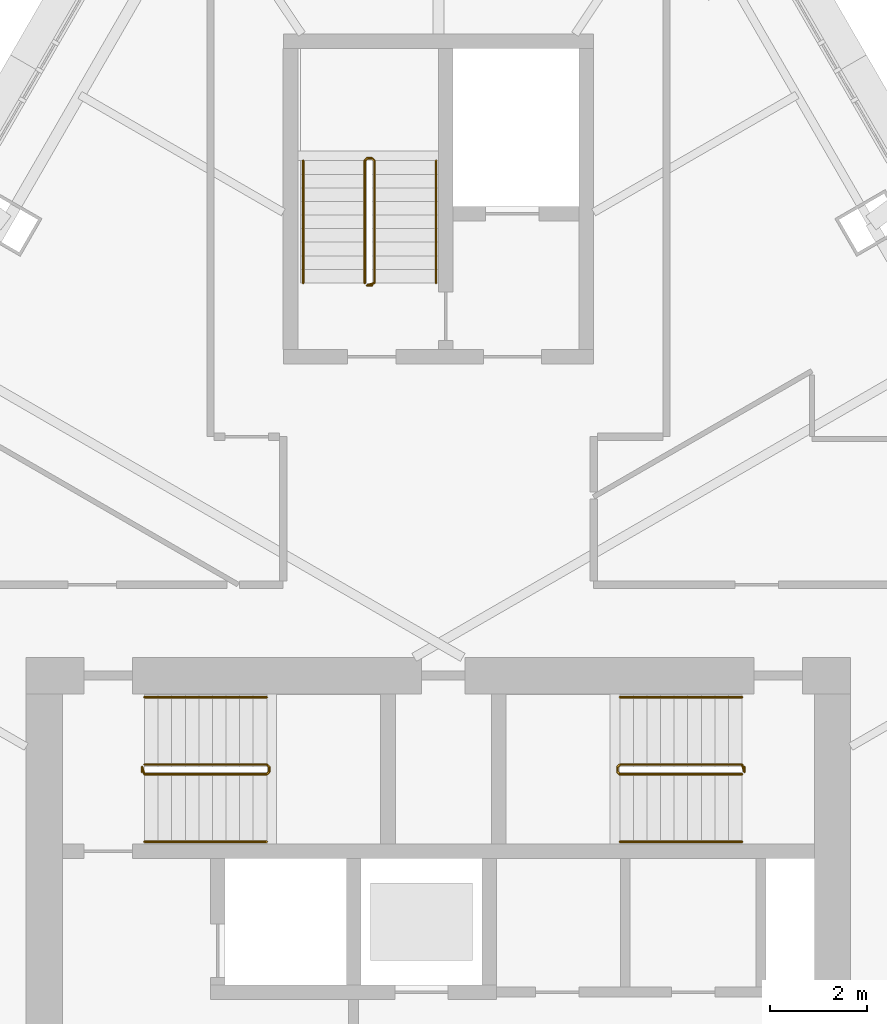
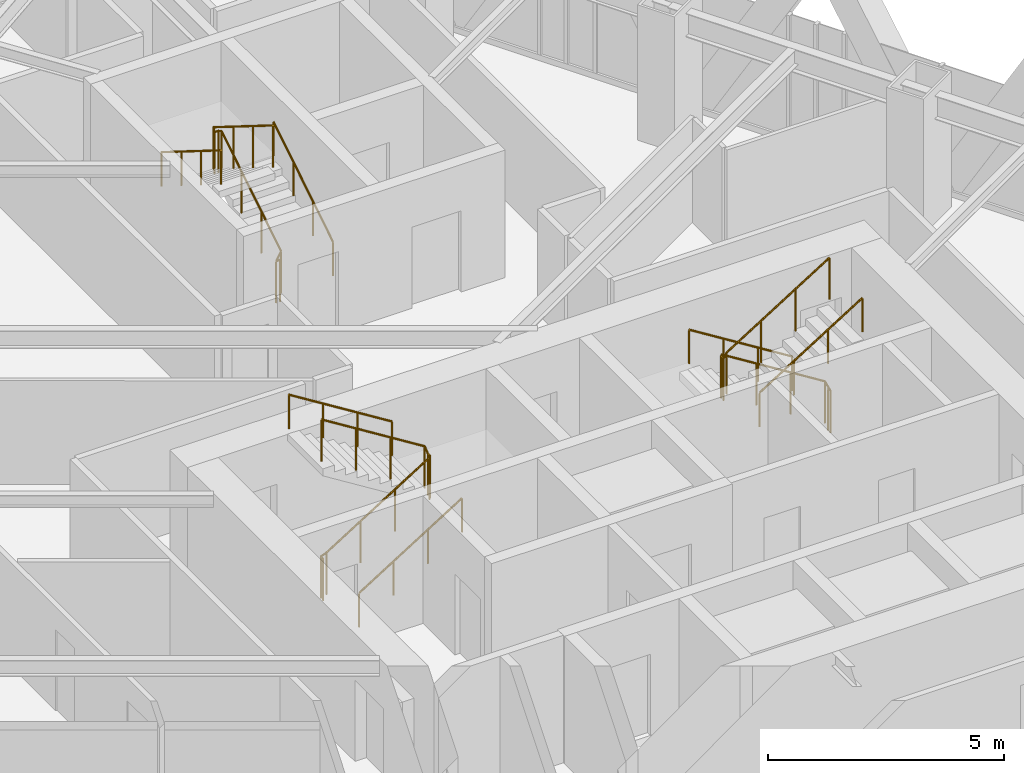
# One storey, part 22 of 23: 9 railings.
"""IFC4 building model written with IfcOpenShell, lengths in metres."""

import ifcopenshell
import ifcopenshell.guid

model = None  # the IFC model being written
_history = None  # IfcOwnerHistory: only IFC2X3 demands one
_inside = {}  # id of a spatial element -> (the spatial element, [elements in it])
_under = {}  # id of a project, library or spatial element -> (it, [spatial elements below it])
_declared = {}  # id of a project -> (the project, [libraries it declares])
_typed = {}  # id of a type object -> (the type object, [elements of that type])
_made_of = {}  # id of a material, layer set ... -> (it, [elements and type objects made of it])


def new_model(schema):
    """Start an empty IFC model of exactly this schema.

    Asked for "IFC4X3", IfcOpenShell would pick the latest addendum, in which some entities
    have other attributes; the version numbers below select the first issue.
    IFC2X3 requires an IfcOwnerHistory on every rooted entity: one is made here for all.
    """
    global model, _history
    if schema == "IFC4X3":
        model = ifcopenshell.file(schema_version=(4, 3, 0, 0))
    else:
        model = ifcopenshell.file(schema=schema)
    _inside.clear()
    _under.clear()
    _declared.clear()
    _typed.clear()
    _made_of.clear()
    _history = None
    if model.schema == "IFC2X3":
        org = make("IfcOrganization", Name="unknown")
        user = make(
            "IfcPersonAndOrganization",
            ThePerson=make("IfcPerson", FamilyName="unknown"),
            TheOrganization=org,
        )
        app = make(
            "IfcApplication",
            ApplicationDeveloper=org,
            Version="unknown",
            ApplicationFullName="unknown",
            ApplicationIdentifier="unknown",
        )
        _history = make(
            "IfcOwnerHistory",
            OwningUser=user,
            OwningApplication=app,
            ChangeAction="ADDED",
            CreationDate=0,
        )
    return model


def make(cls, **values):
    """One entity of the class cls with the attributes given. An attribute that is None is left unset."""
    return model.create_entity(
        cls, **{name: value for name, value in values.items() if value is not None}
    )


def rooted(cls, **values):
    """An entity with a GlobalId (a new one), such as an element, a storey or a relation."""
    return make(cls, GlobalId=ifcopenshell.guid.new(), OwnerHistory=_history, **values)


def si_unit(unit_type, name, prefix=None):
    """IfcSIUnit, for example si_unit("LENGTHUNIT", "METRE", prefix="MILLI")."""
    return make("IfcSIUnit", UnitType=unit_type, Prefix=prefix, Name=name)


def assignment(units):
    """IfcUnitAssignment: the units of a project."""
    return None if units is None else make("IfcUnitAssignment", Units=units)


def point(xyz):
    """IfcCartesianPoint."""
    return None if xyz is None else make("IfcCartesianPoint", Coordinates=xyz)


def direction(xyz):
    """IfcDirection."""
    return None if xyz is None else make("IfcDirection", DirectionRatios=xyz)


def frame(location, z_axis=None, x_axis=None):
    """IfcAxis2Placement3D, a coordinate frame: its origin and axes. An axis left out is left unset."""
    return make(
        "IfcAxis2Placement3D",
        Location=point(location),
        Axis=direction(z_axis),
        RefDirection=direction(x_axis),
    )


def frame_2d(location, x_axis=None):
    """IfcAxis2Placement2D, a coordinate frame in the plane: its origin and x axis."""
    return make(
        "IfcAxis2Placement2D", Location=point(location), RefDirection=direction(x_axis)
    )


def origin():
    """The frame at (0, 0, 0) with its axes left unset."""
    return frame((0.0, 0.0, 0.0))


def origin_2d():
    """The frame at (0, 0) in the plane with its x axis left unset."""
    return frame_2d((0.0, 0.0))


def place(relative_to, where):
    """IfcLocalPlacement: puts the frame where relative to a parent placement (None: the world)."""
    return make(
        "IfcLocalPlacement", PlacementRelTo=relative_to, RelativePlacement=where
    )


def context(
    kind, dimensions, precision=None, world=None, true_north=None, identifier=None
):
    """IfcGeometricRepresentationContext, for example the 3D "Model" context."""
    return make(
        "IfcGeometricRepresentationContext",
        ContextIdentifier=identifier,
        ContextType=kind,
        CoordinateSpaceDimension=dimensions,
        Precision=precision,
        WorldCoordinateSystem=world,
        TrueNorth=true_north,
    )


def subcontext(parent, identifier, kind, view, scale=None):
    """IfcGeometricRepresentationSubContext, for example "Body" below "Model"."""
    return make(
        "IfcGeometricRepresentationSubContext",
        ContextIdentifier=identifier,
        ContextType=kind,
        ParentContext=parent,
        TargetScale=scale,
        TargetView=view,
    )


def project(units=None, contexts=None):
    """IfcProject with its units and contexts."""
    return rooted(
        "IfcProject",
        Name="project",
        RepresentationContexts=contexts,
        UnitsInContext=assignment(units),
    )


def spatial(cls, under=None, at=None, **own):
    """A site, building, storey or space (cls), placed at a placement, below another one or the project."""
    s = rooted(cls, ObjectPlacement=at, **own)
    if under is not None:
        _under.setdefault(under.id(), (under, []))[1].append(s)
    return s


def profile(cls, at=None, kind="AREA", **sizes):
    """A parametric profile (cls). Its sizes go by their IFC names, for example OverallWidth=200.0."""
    return make(cls, ProfileType=kind, Position=at, **sizes)


def circle(**sizes):
    """IfcCircleProfileDef."""
    return profile("IfcCircleProfileDef", **sizes)


def extrude(swept, where, along, depth):
    """IfcExtrudedAreaSolid: the profile swept, set in the frame where, extruded along a direction by depth."""
    return make(
        "IfcExtrudedAreaSolid",
        SweptArea=swept,
        Position=where,
        ExtrudedDirection=direction(along),
        Depth=depth,
    )


def shape(context_of_items, identifier, shape_type, items):
    """IfcShapeRepresentation: the items that make up one representation, for example the "Body"."""
    return make(
        "IfcShapeRepresentation",
        ContextOfItems=context_of_items,
        RepresentationIdentifier=identifier,
        RepresentationType=shape_type,
        Items=items,
    )


def material(Name=None, Category=None):
    """IfcMaterial."""
    return make("IfcMaterial", Name=Name, Category=Category)


def made_of(thing, what):
    """Note that an element or type object is made of a material, layer set ...; save() writes the relation."""
    if what is not None:
        _made_of.setdefault(what.id(), (what, []))[1].append(thing)
    return thing


def type_object(cls, material=None, **own):
    """A type object (cls), such as IfcWallType, which elements share."""
    return made_of(rooted(cls, **own), material)


def element(
    cls,
    number,
    at=None,
    inside=None,
    cuts=None,
    type_object=None,
    material=None,
    context=None,
    identifier="Body",
    shape_type=None,
    held_by="IfcProductDefinitionShape",
    body=None,
    shapes=None,
    **own,
):
    """One element of the class cls, such as IfcWall. Its Tag is "e" and its number.

    at: its placement. inside: the storey or other place that contains it. cuts: it is an
    opening in that element (IfcRelVoidsElement). A single representation is given by context,
    identifier, shape_type and body (its items); several are given by shapes. held_by: the class
    of the entity that holds the representations. save() writes the other relations.
    """
    e = rooted(cls, Tag="e%d" % number, ObjectPlacement=at, **own)
    if body is not None:
        shapes = [shape(context, identifier, shape_type, body)]
    if shapes is not None:
        e.Representation = make(held_by, Representations=shapes)
    if inside is not None:
        _inside.setdefault(inside.id(), (inside, []))[1].append(e)
    if cuts is not None:
        rooted(
            "IfcRelVoidsElement", RelatingBuildingElement=cuts, RelatedOpeningElement=e
        )
    if type_object is not None:
        _typed.setdefault(type_object.id(), (type_object, []))[1].append(e)
    return made_of(e, material)


def aggregate(whole, parts):
    """IfcRelAggregates: a whole, such as a stair, and the parts it consists of."""
    return rooted("IfcRelAggregates", RelatingObject=whole, RelatedObjects=parts)


def save(model, path):
    """Write the relations noted so far, then the file.

    IfcRelAggregates (storeys below a building ...), IfcRelContainedInSpatialStructure (elements
    in a storey), IfcRelDefinesByType, IfcRelAssociatesMaterial and IfcRelDeclares: one each for
    every whole, place, type object, material and project.
    """
    for whole, parts in _under.values():
        aggregate(whole, parts)
    for where, things in _inside.values():
        rooted(
            "IfcRelContainedInSpatialStructure",
            RelatedElements=things,
            RelatingStructure=where,
        )
    for kind, things in _typed.values():
        rooted("IfcRelDefinesByType", RelatedObjects=things, RelatingType=kind)
    for what, things in _made_of.values():
        rooted("IfcRelAssociatesMaterial", RelatedObjects=things, RelatingMaterial=what)
    for by, libraries in _declared.values():
        rooted("IfcRelDeclares", RelatingContext=by, RelatedDefinitions=libraries)
    model.write(path)


model = new_model("IFC4")

# Units and contexts
model_context = context("Model", 3, precision=1e-05, world=origin(), true_north=direction((0.0, 1.0)))
body_context = subcontext(model_context, "Body", "Model", "MODEL_VIEW")
ifc_project = project(units=[si_unit("LENGTHUNIT", "METRE"), si_unit("AREAUNIT", "SQUARE_METRE"), si_unit("VOLUMEUNIT", "CUBIC_METRE"), si_unit("PLANEANGLEUNIT", "RADIAN"), si_unit("MASSUNIT", "GRAM", prefix="KILO")], contexts=[model_context])

# Site, building, storey
site_placement = place(None, origin())
site = spatial("IfcSite", under=ifc_project, at=site_placement, CompositionType="ELEMENT")
building_placement = place(site_placement, origin())
building = spatial("IfcBuilding", under=site, at=building_placement, Name="Firuza Gate Tower and Library", CompositionType="ELEMENT")
storey_placement = place(building_placement, frame((0.0, 0.0, 302.10009765625)))
storey = spatial("IfcBuildingStorey", under=building, at=storey_placement, Name="L73", CompositionType="ELEMENT", Elevation=302.10009765625)

# Railings
ifc_material_1 = material(Name="Steel S355", Category="steel")
railing_type_1 = type_object("IfcRailingType", Name="Stair guard 1100", PredefinedType="GUARDRAIL", material=ifc_material_1)
railing_1_placement = place(storey_placement, frame((68.889892578125, 79.389892578125, 0.0)))
element("IfcRailing", 1, at=railing_1_placement, inside=storey, type_object=railing_type_1, Name="L73 ST1 stair guard 1", PredefinedType="GUARDRAIL", context=body_context, shape_type="SweptSolid", body=[
    extrude(circle(Radius=0.02392578125, at=origin_2d()), frame((0.0, 0.0, 1.076171875), z_axis=(0.0, 1.0, 0.0), x_axis=(-1.0, 0.0, 0.0)), (0.0, 0.0, 1.0), 0.10009765625),
    extrude(circle(Radius=0.02392578125, at=origin_2d()), frame((0.0, 0.10009765625, 1.076171875), z_axis=(0.212383695785, -0.636115069328, 0.741788908207), x_axis=(0.948528701346, 0.316691178788, 0.0)), (0.0, 0.0, 1.0), 0.235595703125),
    extrude(circle(Radius=0.02392578125, at=origin_2d()), frame((0.050048828125, -0.0498046875, 1.2509765625), z_axis=(0.847970611238, 0.0, 0.530043245855), x_axis=(0.0, 1.0, 0.0)), (0.0, 0.0, 1.0), 2.971923828125),
    extrude(circle(Radius=0.02392578125, at=origin_2d()), frame((2.570068359375, -0.0498046875, 2.826171875), z_axis=(0.708833529934, 0.705375805398, 0.0), x_axis=(-0.705375805398, 0.708833529934, 0.0)), (0.0, 0.0, 1.0), 0.070556640625),
    extrude(circle(Radius=0.02392578125, at=origin_2d()), frame((2.6201171875, 0.0, 2.826171875), z_axis=(0.0, 1.0, 0.0), x_axis=(-1.0, 0.0, 0.0)), (0.0, 0.0, 1.0), 0.10009765625),
    extrude(circle(Radius=0.02392578125, at=origin_2d()), frame((2.6201171875, 0.10009765625, 2.826171875), z_axis=(-0.265383341853, 0.265383341853, 0.926899867156), x_axis=(-0.707106781187, -0.707106781187, 0.0)), (0.0, 0.0, 1.0), 0.1884765625),
    extrude(circle(Radius=0.02392578125, at=origin_2d()), frame((2.570068359375, 0.150146484375, 3.0009765625), z_axis=(-0.847970611238, 0.0, 0.530043245855), x_axis=(0.0, -1.0, 0.0)), (0.0, 0.0, 1.0), 2.971923828125),
    extrude(circle(Radius=0.02099609375, at=origin_2d()), origin(), (0.0, 0.0, 1.0), 1.052001953125),
    extrude(circle(Radius=0.02099609375, at=origin_2d()), frame((0.0, 0.10009765625, 0.0)), (0.0, 0.0, 1.0), 1.052001953125),
    extrude(circle(Radius=0.02099609375, at=origin_2d()), frame((0.050048828125, -0.0498046875, 0.1748046875)), (0.0, 0.0, 1.0), 1.052001953125),
    extrude(circle(Radius=0.02099609375, at=origin_2d()), frame((0.89013671875, -0.0498046875, 0.699951171875)), (0.0, 0.0, 1.0), 1.052001953125),
    extrude(circle(Radius=0.02099609375, at=origin_2d()), frame((1.72998046875, -0.0498046875, 1.224853515625)), (0.0, 0.0, 1.0), 1.052001953125),
    extrude(circle(Radius=0.02099609375, at=origin_2d()), frame((2.570068359375, -0.0498046875, 1.75)), (0.0, 0.0, 1.0), 1.052001953125),
    extrude(circle(Radius=0.02099609375, at=origin_2d()), frame((2.6201171875, 0.0, 1.75)), (0.0, 0.0, 1.0), 1.052001953125),
    extrude(circle(Radius=0.02099609375, at=origin_2d()), frame((2.6201171875, 0.10009765625, 1.75)), (0.0, 0.0, 1.0), 1.052001953125),
    extrude(circle(Radius=0.02099609375, at=origin_2d()), frame((2.570068359375, 0.150146484375, 1.9248046875)), (0.0, 0.0, 1.0), 1.052001953125),
    extrude(circle(Radius=0.02099609375, at=origin_2d()), frame((1.72998046875, 0.150146484375, 2.449951171875)), (0.0, 0.0, 1.0), 1.052001953125),
    extrude(circle(Radius=0.02099609375, at=origin_2d()), frame((0.89013671875, 0.150146484375, 2.974853515625)), (0.0, 0.0, 1.0), 1.052001953125),
    extrude(circle(Radius=0.02099609375, at=origin_2d()), frame((0.050048828125, 0.150146484375, 3.5)), (0.0, 0.0, 1.0), 1.052001953125),
])
railing_2_placement = place(storey_placement, frame((81.31005859375, 79.489990234375, 0.0)))
element("IfcRailing", 2, at=railing_2_placement, inside=storey, type_object=railing_type_1, Name="L73 ST2 stair guard 1", PredefinedType="GUARDRAIL", context=body_context, shape_type="SweptSolid", body=[
    extrude(circle(Radius=0.02392578125, at=origin_2d()), frame((0.0, 0.0, 1.076171875), z_axis=(0.0, -1.0, 0.0), x_axis=(1.0, 0.0, 0.0)), (0.0, 0.0, 1.0), 0.10009765625),
    extrude(circle(Radius=0.02392578125, at=origin_2d()), frame((0.0, -0.10009765625, 1.076171875), z_axis=(-0.21224375372, 0.63673126116, 0.741300134944), x_axis=(-0.948683298051, -0.316227766017, 0.0)), (0.0, 0.0, 1.0), 0.23583984375),
    extrude(circle(Radius=0.02392578125, at=origin_2d()), frame((-0.050048828125, 0.050048828125, 1.2509765625), z_axis=(-0.847970611238, 0.0, 0.530043245855), x_axis=(0.0, -1.0, 0.0)), (0.0, 0.0, 1.0), 2.971923828125),
    extrude(circle(Radius=0.02392578125, at=origin_2d()), frame((-2.570068359375, 0.050048828125, 2.826171875), z_axis=(-0.707106781187, -0.707106781187, 0.0), x_axis=(0.707106781187, -0.707106781187, 0.0)), (0.0, 0.0, 1.0), 0.07080078125),
    extrude(circle(Radius=0.02392578125, at=origin_2d()), frame((-2.6201171875, 0.0, 2.826171875), z_axis=(0.0, -1.0, 0.0), x_axis=(1.0, 0.0, 0.0)), (0.0, 0.0, 1.0), 0.10009765625),
    extrude(circle(Radius=0.02392578125, at=origin_2d()), frame((-2.6201171875, -0.10009765625, 2.826171875), z_axis=(0.265474339444, -0.264179342666, 0.927217692888), x_axis=(0.705375805398, 0.708833529934, 0.0)), (0.0, 0.0, 1.0), 0.1884765625),
    extrude(circle(Radius=0.02392578125, at=origin_2d()), frame((-2.570068359375, -0.14990234375, 3.0009765625), z_axis=(0.847970611238, 0.0, 0.530043245855), x_axis=(0.0, 1.0, 0.0)), (0.0, 0.0, 1.0), 2.971923828125),
    extrude(circle(Radius=0.02099609375, at=origin_2d()), origin(), (0.0, 0.0, 1.0), 1.052001953125),
    extrude(circle(Radius=0.02099609375, at=origin_2d()), frame((0.0, -0.10009765625, 0.0)), (0.0, 0.0, 1.0), 1.052001953125),
    extrude(circle(Radius=0.02099609375, at=origin_2d()), frame((-0.050048828125, 0.050048828125, 0.1748046875)), (0.0, 0.0, 1.0), 1.052001953125),
    extrude(circle(Radius=0.02099609375, at=origin_2d()), frame((-0.89013671875, 0.050048828125, 0.699951171875)), (0.0, 0.0, 1.0), 1.052001953125),
    extrude(circle(Radius=0.02099609375, at=origin_2d()), frame((-1.72998046875, 0.050048828125, 1.224853515625)), (0.0, 0.0, 1.0), 1.052001953125),
    extrude(circle(Radius=0.02099609375, at=origin_2d()), frame((-2.570068359375, 0.050048828125, 1.75)), (0.0, 0.0, 1.0), 1.052001953125),
    extrude(circle(Radius=0.02099609375, at=origin_2d()), frame((-2.6201171875, 0.0, 1.75)), (0.0, 0.0, 1.0), 1.052001953125),
    extrude(circle(Radius=0.02099609375, at=origin_2d()), frame((-2.6201171875, -0.10009765625, 1.75)), (0.0, 0.0, 1.0), 1.052001953125),
    extrude(circle(Radius=0.02099609375, at=origin_2d()), frame((-2.570068359375, -0.14990234375, 1.9248046875)), (0.0, 0.0, 1.0), 1.052001953125),
    extrude(circle(Radius=0.02099609375, at=origin_2d()), frame((-1.72998046875, -0.14990234375, 2.449951171875)), (0.0, 0.0, 1.0), 1.052001953125),
    extrude(circle(Radius=0.02099609375, at=origin_2d()), frame((-0.89013671875, -0.14990234375, 2.974853515625)), (0.0, 0.0, 1.0), 1.052001953125),
    extrude(circle(Radius=0.02099609375, at=origin_2d()), frame((-0.050048828125, -0.14990234375, 3.5)), (0.0, 0.0, 1.0), 1.052001953125),
])
railing_3_placement = place(storey_placement, frame((73.6298828125, 89.419921875, 0.0)))
element("IfcRailing", 3, at=railing_3_placement, inside=storey, type_object=railing_type_1, Name="L73 ST3 stair guard 1", PredefinedType="GUARDRAIL", context=body_context, shape_type="SweptSolid", body=[
    extrude(circle(Radius=0.02392578125, at=origin_2d()), frame((0.0, 0.0, 1.076171875), z_axis=(-1.0, 0.0, 0.0), x_axis=(0.0, -1.0, 0.0)), (0.0, 0.0, 1.0), 0.099853515625),
    extrude(circle(Radius=0.02392578125, at=origin_2d()), frame((-0.099853515625, 0.0, 1.076171875), z_axis=(0.636115069328, 0.212383695785, 0.741788908207), x_axis=(-0.316691178788, 0.948528701346, 0.0)), (0.0, 0.0, 1.0), 0.235595703125),
    extrude(circle(Radius=0.02392578125, at=origin_2d()), frame((0.050048828125, 0.050048828125, 1.2509765625), z_axis=(0.0, 0.847970611238, 0.530043245855), x_axis=(-1.0, 0.0, 0.0)), (0.0, 0.0, 1.0), 2.971923828125),
    extrude(circle(Radius=0.02392578125, at=origin_2d()), frame((0.050048828125, 2.570068359375, 2.826171875), z_axis=(-0.707106781187, 0.707106781187, 0.0), x_axis=(-0.707106781187, -0.707106781187, 0.0)), (0.0, 0.0, 1.0), 0.07080078125),
    extrude(circle(Radius=0.02392578125, at=origin_2d()), frame((0.0, 2.6201171875, 2.826171875), z_axis=(-1.0, 0.0, 0.0), x_axis=(0.0, -1.0, 0.0)), (0.0, 0.0, 1.0), 0.099853515625),
    extrude(circle(Radius=0.02392578125, at=origin_2d()), frame((-0.099853515625, 2.6201171875, 2.826171875), z_axis=(-0.265383341853, -0.265383341853, 0.926899867156), x_axis=(0.707106781187, -0.707106781187, 0.0)), (0.0, 0.0, 1.0), 0.1884765625),
    extrude(circle(Radius=0.02392578125, at=origin_2d()), frame((-0.14990234375, 2.570068359375, 3.0009765625), z_axis=(0.0, -0.847970611238, 0.530043245855), x_axis=(1.0, 0.0, 0.0)), (0.0, 0.0, 1.0), 2.971923828125),
    extrude(circle(Radius=0.02099609375, at=origin_2d()), origin(), (0.0, 0.0, 1.0), 1.052001953125),
    extrude(circle(Radius=0.02099609375, at=origin_2d()), frame((-0.099853515625, 0.0, 0.0)), (0.0, 0.0, 1.0), 1.052001953125),
    extrude(circle(Radius=0.02099609375, at=origin_2d()), frame((0.050048828125, 0.050048828125, 0.1748046875)), (0.0, 0.0, 1.0), 1.052001953125),
    extrude(circle(Radius=0.02099609375, at=origin_2d()), frame((0.050048828125, 0.89013671875, 0.699951171875)), (0.0, 0.0, 1.0), 1.052001953125),
    extrude(circle(Radius=0.02099609375, at=origin_2d()), frame((0.050048828125, 1.72998046875, 1.224853515625)), (0.0, 0.0, 1.0), 1.052001953125),
    extrude(circle(Radius=0.02099609375, at=origin_2d()), frame((0.050048828125, 2.570068359375, 1.75)), (0.0, 0.0, 1.0), 1.052001953125),
    extrude(circle(Radius=0.02099609375, at=origin_2d()), frame((0.0, 2.6201171875, 1.75)), (0.0, 0.0, 1.0), 1.052001953125),
    extrude(circle(Radius=0.02099609375, at=origin_2d()), frame((-0.099853515625, 2.6201171875, 1.75)), (0.0, 0.0, 1.0), 1.052001953125),
    extrude(circle(Radius=0.02099609375, at=origin_2d()), frame((-0.14990234375, 2.570068359375, 1.9248046875)), (0.0, 0.0, 1.0), 1.052001953125),
    extrude(circle(Radius=0.02099609375, at=origin_2d()), frame((-0.14990234375, 1.72998046875, 2.449951171875)), (0.0, 0.0, 1.0), 1.052001953125),
    extrude(circle(Radius=0.02099609375, at=origin_2d()), frame((-0.14990234375, 0.89013671875, 2.974853515625)), (0.0, 0.0, 1.0), 1.052001953125),
    extrude(circle(Radius=0.02099609375, at=origin_2d()), frame((-0.14990234375, 0.050048828125, 3.5)), (0.0, 0.0, 1.0), 1.052001953125),
])
ifc_material_2 = material(Name="Steel S355", Category="steel")
railing_type_2 = type_object("IfcRailingType", Name="Stair handrail 900", PredefinedType="HANDRAIL", material=ifc_material_2)
railing_4_placement = place(storey_placement, frame((68.93994140625, 77.949951171875, 0.1748046875)))
element("IfcRailing", 4, at=railing_4_placement, inside=storey, type_object=railing_type_2, Name="L73 ST1 stair handrail 1", PredefinedType="HANDRAIL", context=body_context, shape_type="SweptSolid", body=[
    extrude(circle(Radius=0.02392578125, at=origin_2d()), frame((0.0, 0.0, 0.8759765625), z_axis=(0.847970611238, 0.0, 0.530043245855), x_axis=(0.0, 1.0, 0.0)), (0.0, 0.0, 1.0), 2.971923828125),
    extrude(circle(Radius=0.02099609375, at=origin_2d()), origin(), (0.0, 0.0, 1.0), 0.851806640625),
    extrude(circle(Radius=0.02099609375, at=origin_2d()), frame((0.840087890625, 0.0, 0.525146484375)), (0.0, 0.0, 1.0), 0.851806640625),
    extrude(circle(Radius=0.02099609375, at=origin_2d()), frame((1.679931640625, 0.0, 1.050048828125)), (0.0, 0.0, 1.0), 0.851806640625),
    extrude(circle(Radius=0.02099609375, at=origin_2d()), frame((2.52001953125, 0.0, 1.5751953125)), (0.0, 0.0, 1.0), 0.851806640625),
])
for number, where, name in (
    (5, (71.4599609375, 80.929931640625, 1.9248046875), "L73 ST1 stair handrail 2"),
    (6, (81.260009765625, 80.929931640625, 0.1748046875), "L73 ST2 stair handrail 1"),
):
    element("IfcRailing", number, at=place(storey_placement, frame(where)), inside=storey, type_object=railing_type_2, Name=name, PredefinedType="HANDRAIL", context=body_context, shape_type="SweptSolid", body=[
        extrude(circle(Radius=0.02392578125, at=origin_2d()), frame((0.0, 0.0, 0.8759765625), z_axis=(-0.847970611238, 0.0, 0.530043245855), x_axis=(0.0, -1.0, 0.0)), (0.0, 0.0, 1.0), 2.971923828125),
        extrude(circle(Radius=0.02099609375, at=origin_2d()), origin(), (0.0, 0.0, 1.0), 0.851806640625),
        extrude(circle(Radius=0.02099609375, at=origin_2d()), frame((-0.840087890625, 0.0, 0.525146484375)), (0.0, 0.0, 1.0), 0.851806640625),
        extrude(circle(Radius=0.02099609375, at=origin_2d()), frame((-1.679931640625, 0.0, 1.050048828125)), (0.0, 0.0, 1.0), 0.851806640625),
        extrude(circle(Radius=0.02099609375, at=origin_2d()), frame((-2.52001953125, 0.0, 1.5751953125)), (0.0, 0.0, 1.0), 0.851806640625),
    ])
railing_5_placement = place(storey_placement, frame((78.739990234375, 77.949951171875, 1.9248046875)))
element("IfcRailing", 7, at=railing_5_placement, inside=storey, type_object=railing_type_2, Name="L73 ST2 stair handrail 2", PredefinedType="HANDRAIL", context=body_context, shape_type="SweptSolid", body=[
    extrude(circle(Radius=0.02392578125, at=origin_2d()), frame((0.0, 0.0, 0.8759765625), z_axis=(0.847970611238, 0.0, 0.530043245855), x_axis=(0.0, 1.0, 0.0)), (0.0, 0.0, 1.0), 2.971923828125),
    extrude(circle(Radius=0.02099609375, at=origin_2d()), origin(), (0.0, 0.0, 1.0), 0.851806640625),
    extrude(circle(Radius=0.02099609375, at=origin_2d()), frame((0.840087890625, 0.0, 0.525146484375)), (0.0, 0.0, 1.0), 0.851806640625),
    extrude(circle(Radius=0.02099609375, at=origin_2d()), frame((1.679931640625, 0.0, 1.050048828125)), (0.0, 0.0, 1.0), 0.851806640625),
    extrude(circle(Radius=0.02099609375, at=origin_2d()), frame((2.52001953125, 0.0, 1.5751953125)), (0.0, 0.0, 1.0), 0.851806640625),
])
railing_6_placement = place(storey_placement, frame((74.949951171875, 89.469970703125, 0.1748046875)))
element("IfcRailing", 8, at=railing_6_placement, inside=storey, type_object=railing_type_2, Name="L73 ST3 stair handrail 1", PredefinedType="HANDRAIL", context=body_context, shape_type="SweptSolid", body=[
    extrude(circle(Radius=0.02392578125, at=origin_2d()), frame((0.0, 0.0, 0.8759765625), z_axis=(0.0, 0.847970611238, 0.530043245855), x_axis=(-1.0, 0.0, 0.0)), (0.0, 0.0, 1.0), 2.971923828125),
    extrude(circle(Radius=0.02099609375, at=origin_2d()), origin(), (0.0, 0.0, 1.0), 0.851806640625),
    extrude(circle(Radius=0.02099609375, at=origin_2d()), frame((0.0, 0.840087890625, 0.525146484375)), (0.0, 0.0, 1.0), 0.851806640625),
    extrude(circle(Radius=0.02099609375, at=origin_2d()), frame((0.0, 1.679931640625, 1.050048828125)), (0.0, 0.0, 1.0), 0.851806640625),
    extrude(circle(Radius=0.02099609375, at=origin_2d()), frame((0.0, 2.52001953125, 1.5751953125)), (0.0, 0.0, 1.0), 0.851806640625),
])
railing_7_placement = place(storey_placement, frame((72.2099609375, 91.989990234375, 1.9248046875)))
element("IfcRailing", 9, at=railing_7_placement, inside=storey, type_object=railing_type_2, Name="L73 ST3 stair handrail 2", PredefinedType="HANDRAIL", context=body_context, shape_type="SweptSolid", body=[
    extrude(circle(Radius=0.02392578125, at=origin_2d()), frame((0.0, 0.0, 0.8759765625), z_axis=(0.0, -0.847970611238, 0.530043245855), x_axis=(1.0, 0.0, 0.0)), (0.0, 0.0, 1.0), 2.971923828125),
    extrude(circle(Radius=0.02099609375, at=origin_2d()), origin(), (0.0, 0.0, 1.0), 0.851806640625),
    extrude(circle(Radius=0.02099609375, at=origin_2d()), frame((0.0, -0.840087890625, 0.525146484375)), (0.0, 0.0, 1.0), 0.851806640625),
    extrude(circle(Radius=0.02099609375, at=origin_2d()), frame((0.0, -1.679931640625, 1.050048828125)), (0.0, 0.0, 1.0), 0.851806640625),
    extrude(circle(Radius=0.02099609375, at=origin_2d()), frame((0.0, -2.52001953125, 1.5751953125)), (0.0, 0.0, 1.0), 0.851806640625),
])

save(model, "model.ifc")
